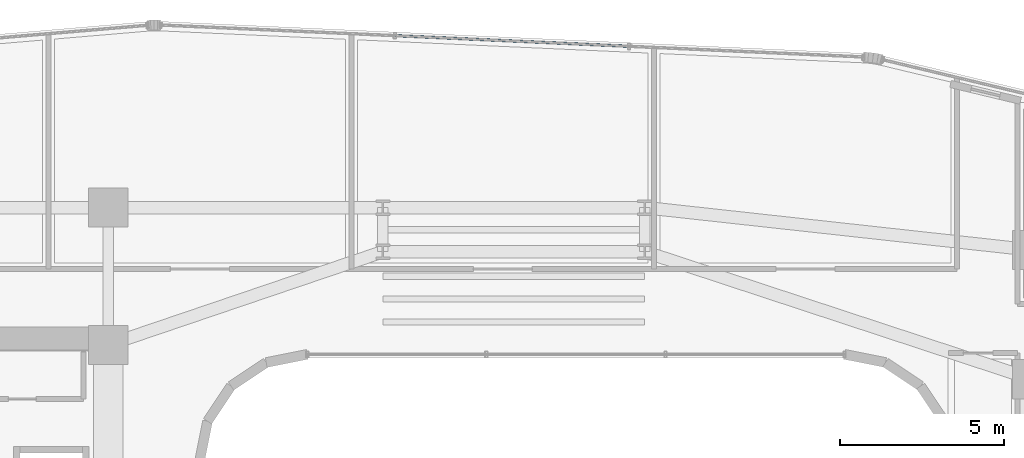
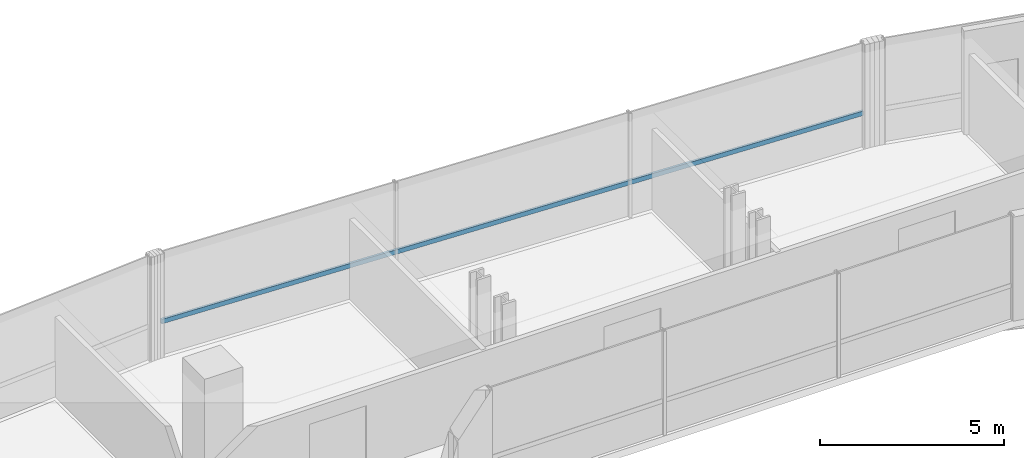
# One storey, part 23 of 37: 1 member, 1 element without a shape of its own.
"""IFC4 building model written with IfcOpenShell, lengths in metres."""

from ifc_helpers import new_model, si_unit, direction, frame, origin, origin_2d, place, context, subcontext, project, spatial, hollow_rectangle, extrude, source, transform, mapped, material, material_profile, profile_set, type_object, element, aggregate, save


model = new_model("IFC4")

# Units and contexts
model_context = context("Model", 3, precision=1e-05, world=origin(), true_north=direction((0.0, 1.0)))
body_context = subcontext(model_context, "Body", "Model", "MODEL_VIEW")
ifc_project = project(units=[si_unit("LENGTHUNIT", "METRE"), si_unit("AREAUNIT", "SQUARE_METRE"), si_unit("VOLUMEUNIT", "CUBIC_METRE"), si_unit("PLANEANGLEUNIT", "RADIAN"), si_unit("MASSUNIT", "GRAM", prefix="KILO")], contexts=[model_context])

# Site, building, storey
site_placement = place(None, origin())
site = spatial("IfcSite", under=ifc_project, at=site_placement, CompositionType="ELEMENT")
building_placement = place(site_placement, origin())
building = spatial("IfcBuilding", under=site, at=building_placement, Name="Valdorenza Pilgrim Sanctuary Tower", CompositionType="ELEMENT")
storey_placement = place(building_placement, frame((0.0, 0.0, 135.300048828125)))
storey = spatial("IfcBuildingStorey", under=building, at=storey_placement, Name="L34", CompositionType="ELEMENT", Elevation=135.300048828125)

# Curtain wall, member
ifc_material_1 = material(Name="Curtain-wall IGU glazing", Category="glass")
curtain_wall_type = type_object("IfcCurtainWallType", Name="CW-SYS-02", PredefinedType="NOTDEFINED", material=ifc_material_1)
curtain_wall_placement = place(storey_placement, origin())
curtain_wall = element("IfcCurtainWall", 1, at=curtain_wall_placement, inside=storey, type_object=curtain_wall_type, Name="L34 Curtain Wall CW-L34-1-11", PredefinedType="NOTDEFINED")
ifc_material_2 = material(Name="Anodised aluminium AW-6060", Category="aluminium")
ifc_material_profile = material_profile(ifc_material_2, hollow_rectangle(XDim=0.074951171875, YDim=0.14990234375, WallThickness=0.00390625, at=origin_2d()), Name="ALU-T 150x75x4")
ifc_profile_set = profile_set([ifc_material_profile], Name="Anodised aluminium AW-6060")
member_type = type_object("IfcMemberType", Name="CW-TRN-02", PredefinedType="USERDEFINED", material=ifc_profile_set)
shared_shape = source(origin(), body_context, "Body", "SweptSolid", [
    extrude(hollow_rectangle(XDim=0.074951171875, YDim=0.14990234375, WallThickness=0.00390625, at=origin_2d()), origin(), (0.0, 0.0, 1.0), 21.5078125),
])
member_placement = place(storey_placement, frame((-10.795654296875, 20.380615234375, 1.119873046875), z_axis=(0.99896865723, -0.045405086403, 0.0), x_axis=(0.045405086403, 0.99896865723, 0.0)))
member = element("IfcMember", 2, at=member_placement, type_object=member_type, Name="CW-L34-1-11 Transom 1", ObjectType="TRANSOM", PredefinedType="USERDEFINED", context=body_context, shape_type="MappedRepresentation", body=[
    mapped(shared_shape, transform((0.0, 0.0, 0.0), x_axis=(1.0, 0.0, 0.0), y_axis=(0.0, 1.0, 0.0), z_axis=(0.0, 0.0, 1.0), scale=1.0)),
])
aggregate(curtain_wall, [member])

save(model, "model.ifc")
